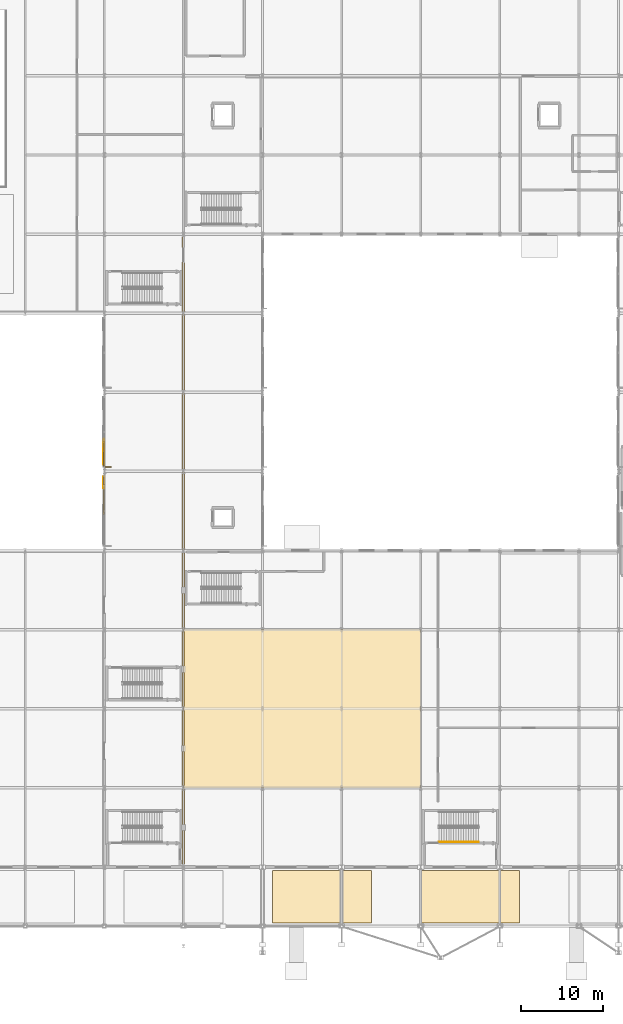
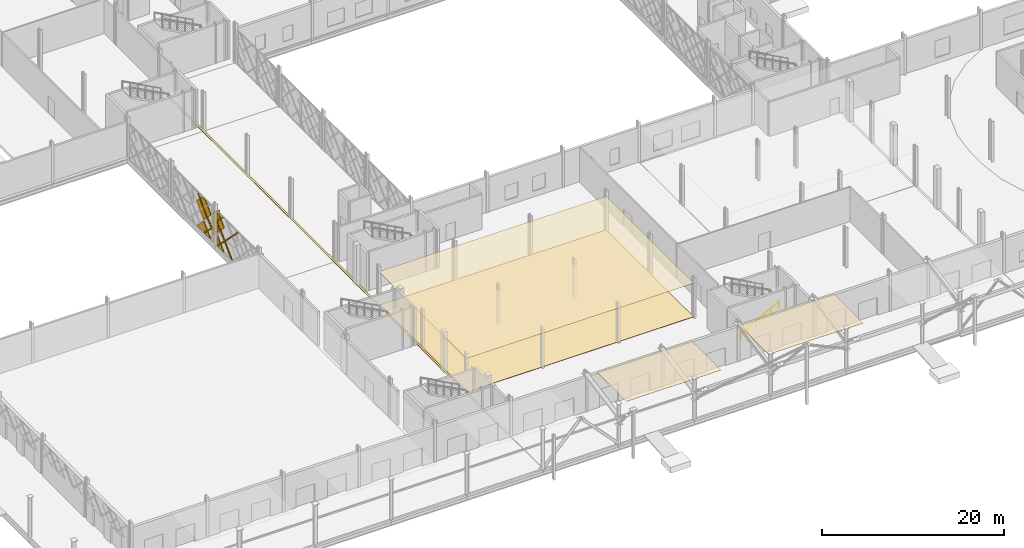
# One storey, part 67 of 84: 14 coverings, 1 railing, 1 shading device.
"""IFC4 building model written with IfcOpenShell, lengths in metres."""

from ifc_helpers import new_model, si_unit, direction, frame, origin, origin_2d, place, context, subcontext, project, spatial, polyline, rectangle, circle, outline, extrude, material, layer, layer_set, type_object, element, save


model = new_model("IFC4")

# Units and contexts
model_context = context("Model", 3, precision=1e-05, world=origin(), true_north=direction((0.0, 1.0)))
body_context = subcontext(model_context, "Body", "Model", "MODEL_VIEW")
ifc_project = project(units=[si_unit("LENGTHUNIT", "METRE"), si_unit("AREAUNIT", "SQUARE_METRE"), si_unit("VOLUMEUNIT", "CUBIC_METRE"), si_unit("PLANEANGLEUNIT", "RADIAN"), si_unit("MASSUNIT", "GRAM", prefix="KILO")], contexts=[model_context])

# Site, building, storey
site_placement = place(None, origin())
site = spatial("IfcSite", under=ifc_project, at=site_placement, CompositionType="ELEMENT")
building_placement = place(site_placement, origin())
building = spatial("IfcBuilding", under=site, at=building_placement, Name="Zevrakil Square Congress Hotel", CompositionType="ELEMENT")
storey_placement = place(building_placement, origin())
storey = spatial("IfcBuildingStorey", under=building, at=storey_placement, Name="L01", CompositionType="ELEMENT", Elevation=0.0)

# Coverings
ifc_material_1 = material(Name="Acoustic Perforated Timber Ceiling", Category="wood")
ifc_layer_1 = layer(ifc_material_1, 0.02490234375)
ifc_layer_set_1 = layer_set([ifc_layer_1], Name="Acoustic Perforated Timber Ceiling")
covering_type_1 = type_object("IfcCoveringType", Name="COV-CEIL-ACOUSTIC-025", PredefinedType="CEILING", material=ifc_layer_set_1)
covering_1_placement = place(storey_placement, frame((0.0, 0.0, 4.489990234375)))
element("IfcCovering", 1, at=covering_1_placement, inside=storey, type_object=covering_type_1, Name="L01 acoustic perforated timber ceiling 1", PredefinedType="CEILING", context=body_context, shape_type="SweptSolid", body=[
    extrude(outline(polyline([(55.199951171875, 16.800048828125), (84.0, 16.800048828125), (84.0, 36.0), (55.199951171875, 36.0), (55.199951171875, 16.800048828125)])), origin(), (0.0, 0.0, 1.0), 0.02490234375),
])
ifc_material_2 = material(Name="White Ribbed Highland GRC Cladding")
ifc_layer_2 = layer(ifc_material_2, 0.044921875)
ifc_layer_set_2 = layer_set([ifc_layer_2], Name="White Ribbed Highland GRC Cladding")
covering_type_2 = type_object("IfcCoveringType", Name="COV-CLAD-GRC-045", PredefinedType="CLADDING", material=ifc_layer_set_2)
covering_2_placement = place(storey_placement, frame((0.0, 0.0, 4.89990234375)))
element("IfcCovering", 2, at=covering_2_placement, inside=storey, type_object=covering_type_2, Name="L01 civic colonnade ribbed GRC soffit cladding 4", PredefinedType="CLADDING", context=body_context, shape_type="SweptSolid", body=[
    extrude(outline(polyline([(66.0, 0.39990234375), (78.0, 0.39990234375), (78.0, 6.800048828125), (66.0, 6.800048828125), (66.0, 0.39990234375)])), origin(), (0.0, 0.0, 1.0), 0.045166015625),
])
covering_3_placement = place(storey_placement, frame((0.0, 0.0, 4.89990234375)))
element("IfcCovering", 3, at=covering_3_placement, inside=storey, type_object=covering_type_2, Name="L01 civic colonnade ribbed GRC soffit cladding 5", PredefinedType="CLADDING", context=body_context, shape_type="SweptSolid", body=[
    extrude(outline(polyline([(84.0, 0.39990234375), (96.0, 0.39990234375), (96.0, 6.800048828125), (84.0, 6.800048828125), (84.0, 0.39990234375)])), origin(), (0.0, 0.0, 1.0), 0.045166015625),
])
ifc_material_3 = material(Name="Architectural White Fibre-C GRC", Category="concrete")
ifc_layer_3 = layer(ifc_material_3, 0.06494140625)
ifc_layer_set_3 = layer_set([ifc_layer_3], Name="Architectural White Fibre-C GRC")
covering_type_3 = type_object("IfcCoveringType", Name="COV-DIA-WHITE", PredefinedType="CLADDING", material=ifc_layer_set_3)
covering_4_placement = place(storey_placement, frame((45.5048828125, 53.169921875, 0.080078125), z_axis=(-0.999999760125, 0.0, 0.000692640526), x_axis=(0.0, 1.0, 0.0)))
element("IfcCovering", 4, at=covering_4_placement, inside=storey, type_object=covering_type_3, Name="L01 45-degree white GRC diamond facade cassette 429", PredefinedType="CLADDING", context=body_context, shape_type="SweptSolid", body=[
    extrude(outline(polyline([(0.0, 0.0), (1.41015625, 0.0), (1.41015625, -1.4099124475784226), (0.0, 0.0)])), origin(), (0.0, 0.0, -1.0), 0.1201171875),
])
covering_5_placement = place(storey_placement, frame((45.507080078125, 53.090087890625, 3.360107421875), z_axis=(-0.999999796878, -1.512394e-05, 0.000637193652), x_axis=(-0.000461258238, 0.707106705284, -0.707106706646)))
element("IfcCovering", 5, at=covering_5_placement, inside=storey, type_object=covering_type_3, Name="L01 45-degree white GRC diamond facade cassette 432", PredefinedType="CLADDING", context=body_context, shape_type="SweptSolid", body=[
    extrude(outline(polyline([(0.0, 0.0), (2.1071646235448123, 0.0), (0.21579150176201412, -1.8913727160652019), (-3.394500039943793e-07, -1.6755808285750262), (0.0, 0.0)])), origin(), (0.0, 0.0, -1.0), 0.1201171875),
])
covering_6_placement = place(storey_placement, frame((45.506103515625, 57.56005859375, 1.590087890625), z_axis=(-0.999999673239, 0.0, 0.000808407173), x_axis=(-0.000571630288, -0.707106665659, -0.707106665659)))
element("IfcCovering", 6, at=covering_6_placement, inside=storey, type_object=covering_type_3, Name="L01 45-degree white GRC diamond facade cassette 453", PredefinedType="CLADDING", context=body_context, shape_type="SweptSolid", body=[
    extrude(outline(polyline([(0.0, 0.0), (2.1354766387581616, -2.220446049250313e-16), (6.977908784122633e-07, -2.135476638758047), (0.0, 0.0)])), origin(), (0.0, 0.0, -1.0), 0.1201171875),
])
covering_7_placement = place(storey_placement, frame((45.507080078125, 55.969970703125, 3.360107421875), z_axis=(-0.999999810212, 0.0, 0.000616097645), x_axis=(-0.000435646864, 0.707106714509, -0.707106713663)))
element("IfcCovering", 7, at=covering_7_placement, inside=storey, type_object=covering_type_3, Name="L01 45-degree white GRC diamond facade cassette 456", PredefinedType="CLADDING", context=body_context, shape_type="SweptSolid", body=[
    extrude(outline(polyline([(0.0, 0.0), (2.2487240723328665, -2.220446049250313e-16), (2.248551014766135, -2.248551438825047), (0.5729701861865238, -2.248551440898992), (0.00017231540003370682, -1.6757534620873598), (0.0, 0.0)])), origin(), (0.0, 0.0, -1.0), 0.1201171875),
])
ifc_material_4 = material(Name="Anodised Champagne Aluminium", Category="aluminium")
ifc_layer_4 = layer(ifc_material_4, 0.0849609375)
ifc_layer_set_4 = layer_set([ifc_layer_4], Name="Anodised Champagne Aluminium")
covering_type_4 = type_object("IfcCoveringType", Name="COV-DIAGRID-45", PredefinedType="MOLDING", material=ifc_layer_set_4)
covering_8_placement = place(storey_placement, frame((45.48193359375, 54.580078125, 3.35400390625), z_axis=(-0.999999589791, 0.000294031009, 0.000856716506), x_axis=(0.000856716568, 8.6454e-08, 0.999999633018)))
element("IfcCovering", 8, at=covering_8_placement, inside=storey, type_object=covering_type_4, Name="L01 45-degree aluminium diagrid rib 435", PredefinedType="MOLDING", context=body_context, shape_type="SweptSolid", body=[
    extrude(outline(polyline([(0.0, 0.0), (0.21215833442613818, 0.0), (1.190918074543862, -0.9790040515293733), (1.1909180562018982, -1.191162245483385), (0.0, 0.0)])), origin(), (0.0, 0.0, -1.0), 0.14501953125),
])
covering_9_placement = place(storey_placement, frame((45.47998046875, 54.493896484375, 0.080078125), z_axis=(-0.999999892816, -0.000179981473, 0.000426583994), x_axis=(-0.000179981456, 0.999999983803, 7.6777e-08)))
element("IfcCovering", 9, at=covering_9_placement, inside=storey, type_object=covering_type_4, Name="L01 45-degree aluminium diagrid rib 436", PredefinedType="MOLDING", context=body_context, shape_type="SweptSolid", body=[
    extrude(outline(polyline([(0.0, 0.0), (0.0861816392291448, -1.1406045165281983e-24), (0.08618164890127465, -0.12597655103777566), (-4.252685618546037, -4.464844489368776), (-4.465087958855827, -4.464844489368776), (0.0, 0.0)])), origin(), (0.0, 0.0, -1.0), 0.14501953125),
])
covering_10_placement = place(storey_placement, frame((45.48193359375, 54.580078125, 3.15380859375), z_axis=(-0.999999905692, 0.000307272394, 0.000306919207), x_axis=(0.000306919193, -9.4308e-08, 0.9999999529)))
element("IfcCovering", 10, at=covering_10_placement, inside=storey, type_object=covering_type_4, Name="L01 45-degree aluminium diagrid rib 439", PredefinedType="MOLDING", context=body_context, shape_type="SweptSolid", body=[
    extrude(outline(polyline([(0.0, 0.0), (0.2124023337459131, 2.81112161297318e-24), (-3.073730613521793, -3.286133257509114), (-3.0737306335299674, -3.0739750643997144), (0.0, 0.0)])), origin(), (0.0, 0.0, -1.0), 0.14501953125),
])
covering_11_placement = place(storey_placement, frame((45.47998046875, 57.373779296875, 0.080078125), z_axis=(-0.99999956019, 0.000243781517, 0.000905643265), x_axis=(0.000243781417, 0.999999970285, -2.20779e-07)))
element("IfcCovering", 11, at=covering_11_placement, inside=storey, type_object=covering_type_4, Name="L01 45-degree aluminium diagrid rib 461", PredefinedType="MOLDING", context=body_context, shape_type="SweptSolid", body=[
    extrude(outline(polyline([(0.0, 0.0), (0.212402337438525, 5.62224322594636e-24), (-1.5537109836680782, -1.7661136624974232), (-1.5537109962910285, -1.5537111847482368), (0.0, 0.0)])), origin(), (0.0, 0.0, -1.0), 0.14501953125),
])
covering_12_placement = place(storey_placement, frame((45.482666015625, 58.85107421875, 4.544921875), z_axis=(-0.999999914653, 0.000292141372, 0.000292141372), x_axis=(-0.000292141359, -0.999999957327, 8.5347e-08)))
element("IfcCovering", 12, at=covering_12_placement, inside=storey, type_object=covering_type_4, Name="L01 45-degree aluminium diagrid rib 464", PredefinedType="MOLDING", context=body_context, shape_type="SweptSolid", body=[
    extrude(outline(polyline([(0.0, 0.0), (0.21215819407151118, 0.0), (3.0310059887180016, -2.8188480352255425), (3.0310059706110235, -3.031006229297053), (0.0, 0.0)])), origin(), (0.0, 0.0, -1.0), 0.14501953125),
])
ifc_material_5 = material(Name="Honed Addis Basalt Stone Flooring", Category="masonry")
ifc_layer_5 = layer(ifc_material_5, 0.030029296875)
ifc_layer_set_5 = layer_set([ifc_layer_5], Name="Honed Addis Basalt Stone Flooring")
covering_type_5 = type_object("IfcCoveringType", Name="COV-FLOR-BASALT-030", PredefinedType="FLOORING", material=ifc_layer_set_5)
covering_13_placement = place(storey_placement, origin())
element("IfcCovering", 13, at=covering_13_placement, inside=storey, type_object=covering_type_5, Name="L01 honed basalt stone flooring 1", PredefinedType="FLOORING", context=body_context, shape_type="SweptSolid", body=[
    extrude(outline(polyline([(55.199951171875, 16.800048828125), (84.0, 16.800048828125), (84.0, 36.0), (55.199951171875, 36.0), (55.199951171875, 16.800048828125)])), origin(), (0.0, 0.0, 1.0), 0.030029296875),
])
covering_14_placement = place(storey_placement, origin())
element("IfcCovering", 14, at=covering_14_placement, inside=storey, type_object=covering_type_5, Name="L01 flush movement-joint floor cover plate 05", PredefinedType="FLOORING", context=body_context, shape_type="SweptSolid", body=[
    extrude(outline(polyline([(55.080078125, 7.60009765625), (55.320068359375, 7.60009765625), (55.320068359375, 83.60009765625), (55.080078125, 83.60009765625), (55.080078125, 7.60009765625)])), origin(), (0.0, 0.0, 1.0), 0.030029296875),
])

# Railing
ifc_material_6 = material(Name="Steel S355", Category="steel")
railing_type = type_object("IfcRailingType", Name="RLG-STAIR-HAND-900", PredefinedType="HANDRAIL", material=ifc_material_6)
railing_placement = place(storey_placement, frame((86.199951171875, 10.25, 0.158935546875)))
element("IfcRailing", 15, at=railing_placement, inside=storey, type_object=railing_type, Name="L01 ST15 stair handrail 1", PredefinedType="HANDRAIL", context=body_context, shape_type="SweptSolid", body=[
    extrude(circle(Radius=0.02392578125, at=origin_2d()), frame((0.0, 0.0, 0.8759765625), z_axis=(0.883802130504, 0.0, 0.467860870469), x_axis=(0.0, 1.0, 0.0)), (0.0, 0.0, 1.0), 5.43115234375),
    extrude(circle(Radius=0.02099609375, at=origin_2d()), origin(), (0.0, 0.0, 1.0), 0.851806640625),
    extrude(circle(Radius=0.02099609375, at=origin_2d()), frame((0.9599609375, 0.0, 0.50830078125)), (0.0, 0.0, 1.0), 0.851806640625),
    extrude(circle(Radius=0.02099609375, at=origin_2d()), frame((1.919921875, 0.0, 1.016357421875)), (0.0, 0.0, 1.0), 0.851806640625),
    extrude(circle(Radius=0.02099609375, at=origin_2d()), frame((2.880126953125, 0.0, 1.524658203125)), (0.0, 0.0, 1.0), 0.851806640625),
    extrude(circle(Radius=0.02099609375, at=origin_2d()), frame((3.840087890625, 0.0, 2.03271484375)), (0.0, 0.0, 1.0), 0.851806640625),
    extrude(circle(Radius=0.02099609375, at=origin_2d()), frame((4.800048828125, 0.0, 2.541015625)), (0.0, 0.0, 1.0), 0.851806640625),
])

# Shading device
ifc_material_7 = material(Name="Aluminium Anodised Bronze", Category="aluminium")
shading_device_type = type_object("IfcShadingDeviceType", Name="SHD-FIN-85", PredefinedType="USERDEFINED", material=ifc_material_7)
shading_device_placement = place(storey_placement, frame((46.044921875, 55.760009765625, 0.8125), z_axis=(0.0, 0.0, 1.0), x_axis=(1.0, 0.0, 0.0)))
element("IfcShadingDevice", 16, at=shading_device_placement, inside=storey, type_object=shading_device_type, Name="L01 aluminium solar shading fin 25", ObjectType="SOLAR FIN", PredefinedType="USERDEFINED", context=body_context, shape_type="SweptSolid", body=[
    extrude(rectangle(XDim=0.85009765625, YDim=0.080078125, at=origin_2d()), origin(), (0.0, 0.0, 1.0), 3.0),
])

save(model, "model.ifc")
